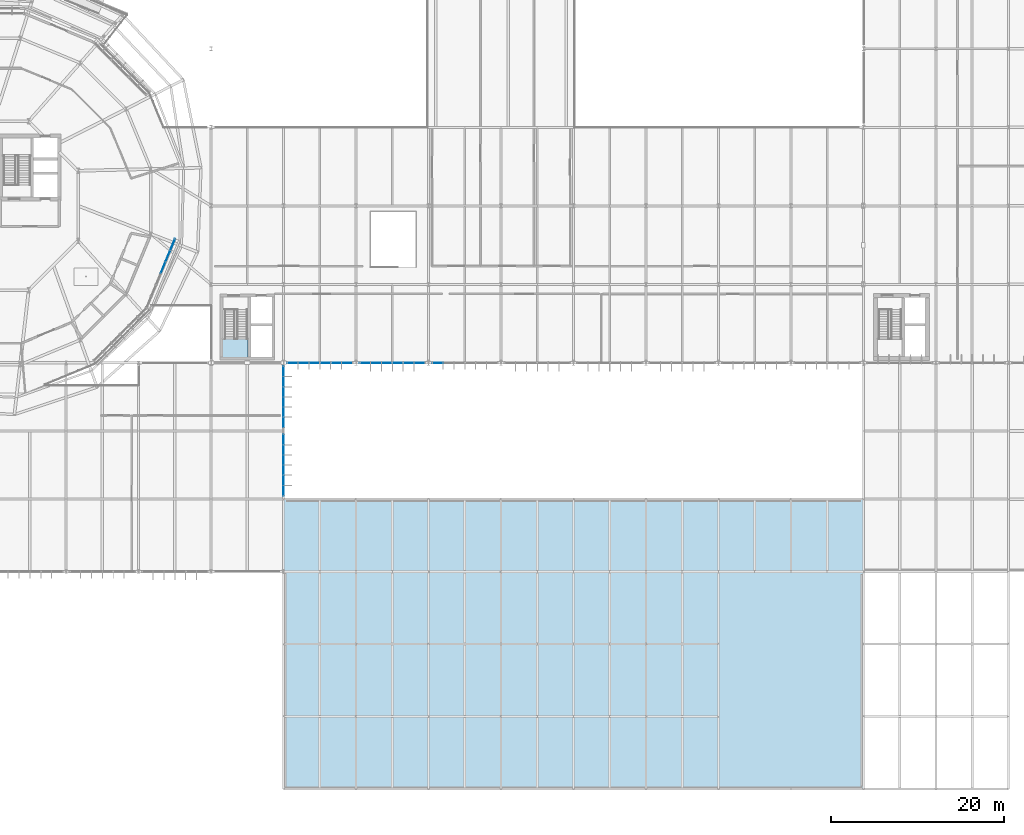
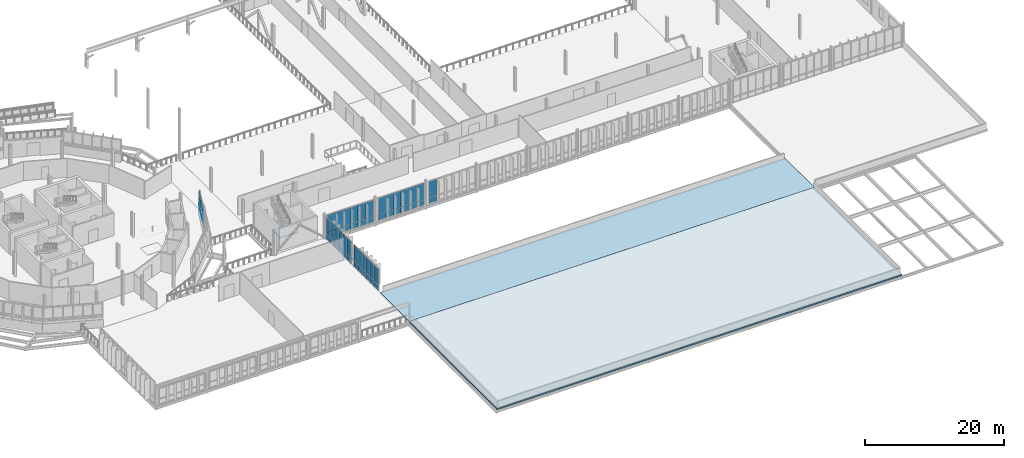
# One storey, part 75 of 107: 56 plates, 3 slabs, 9 elements without a shape of their own.
"""IFC4 building model written with IfcOpenShell, lengths in metres."""

from ifc_helpers import new_model, si_unit, derived_unit, direction, frame, origin, origin_2d, place, context, subcontext, project, spatial, polyline, rectangle, outline, extrude, material, layer, layer_set, type_object, element, aggregate, save


model = new_model("IFC4")

# Units and contexts
model_context = context("Model", 3, precision=1e-05, world=origin(), true_north=direction((0.0, 1.0)))
body_context = subcontext(model_context, "Body", "Model", "MODEL_VIEW")
ifc_project = project(units=[si_unit("LENGTHUNIT", "METRE"), si_unit("AREAUNIT", "SQUARE_METRE"), si_unit("VOLUMEUNIT", "CUBIC_METRE"), si_unit("PLANEANGLEUNIT", "RADIAN"), si_unit("MASSUNIT", "GRAM", prefix="KILO"), derived_unit("THERMALTRANSMITTANCEUNIT", [(si_unit("MASSUNIT", "GRAM", prefix="KILO"), 1), (si_unit("TIMEUNIT", "SECOND"), -3), (si_unit("THERMODYNAMICTEMPERATUREUNIT", "KELVIN"), -1)])], contexts=[model_context])

# Site, building, storey
site_placement = place(None, origin())
site = spatial("IfcSite", under=ifc_project, at=site_placement, CompositionType="ELEMENT")
building_placement = place(site_placement, origin())
building = spatial("IfcBuilding", under=site, at=building_placement, Name="Makaiwela Harbour Ferry Terminal", CompositionType="ELEMENT")
storey_placement = place(building_placement, frame((0.0, 0.0, 9.60009765625)))
storey = spatial("IfcBuildingStorey", under=building, at=storey_placement, Name="L02", CompositionType="ELEMENT", Elevation=9.60009765625)

# Curtain wall, plates
ifc_material_1 = material(Name="Marine anodised aluminium 6063-T6", Category="aluminium")
ifc_layer_1 = layer(ifc_material_1, 0.199951171875)
ifc_layer_set_1 = layer_set([ifc_layer_1], Name="Marine anodised aluminium 6063-T6")
curtain_wall_type_1 = type_object("IfcCurtainWallType", Name="ENV-CW-04", PredefinedType="USERDEFINED", material=ifc_layer_set_1)
curtain_wall_1_placement = place(storey_placement, origin())
curtain_wall_1 = element("IfcCurtainWall", 1, at=curtain_wall_1_placement, inside=storey, type_object=curtain_wall_type_1, Name="Unitised Curtain Wall CWA-028", ObjectType="UNITIZED CURTAIN WALL", PredefinedType="USERDEFINED")
ifc_material_2 = material(Name="Laminated hurricane-impact low-E insulated glazing", Category="glass")
ifc_layer_2 = layer(ifc_material_2, 0.031982421875)
ifc_layer_set_2 = layer_set([ifc_layer_2], Name="Laminated hurricane-impact low-E insulated glazing")
plate_type_1 = type_object("IfcPlateType", Name="CW-PNL-G06", PredefinedType="CURTAIN_PANEL", material=ifc_layer_set_2)
plate_1_placement = place(storey_placement, frame((57.440185546875, 60.43994140625, 1.89990234375), z_axis=(0.0, 0.0, 1.0), x_axis=(0.382683432365, 0.923879532511, 0.0)))
plate_1 = element("IfcPlate", 2, at=plate_1_placement, type_object=plate_type_1, Name="Glazed Vision Panel CWA-028-4G", PredefinedType="CURTAIN_PANEL", context=body_context, shape_type="SweptSolid", body=[
    extrude(rectangle(XDim=1.43359375, YDim=0.031982421875, at=origin_2d()), origin(), (0.0, 0.0, 1.0), 2.06005859375),
])
plate_2_placement = place(storey_placement, frame((57.989013671875, 61.764404296875, 1.89990234375), z_axis=(0.0, 0.0, 1.0), x_axis=(0.382683432365, 0.923879532511, 0.0)))
plate_2 = element("IfcPlate", 3, at=plate_2_placement, type_object=plate_type_1, Name="Glazed Vision Panel CWA-028-5G", PredefinedType="CURTAIN_PANEL", context=body_context, shape_type="SweptSolid", body=[
    extrude(rectangle(XDim=1.43359375, YDim=0.031982421875, at=origin_2d()), origin(), (0.0, 0.0, 1.0), 2.06005859375),
])
plate_3_placement = place(storey_placement, frame((58.53759765625, 63.089111328125, 1.89990234375), z_axis=(0.0, 0.0, 1.0), x_axis=(0.382683432365, 0.923879532511, 0.0)))
plate_3 = element("IfcPlate", 4, at=plate_3_placement, type_object=plate_type_1, Name="Glazed Vision Panel CWA-028-6G", PredefinedType="CURTAIN_PANEL", context=body_context, shape_type="SweptSolid", body=[
    extrude(rectangle(XDim=1.43359375, YDim=0.031982421875, at=origin_2d()), origin(), (0.0, 0.0, 1.0), 2.06005859375),
])

ifc_layer_3 = layer(ifc_material_1, 0.199951171875)
ifc_layer_set_3 = layer_set([ifc_layer_3], Name="Marine anodised aluminium 6063-T6")
curtain_wall_type_2 = type_object("IfcCurtainWallType", Name="ENV-CW-09", PredefinedType="USERDEFINED", material=ifc_layer_set_3)
curtain_wall_2_placement = place(storey_placement, origin())
curtain_wall_2 = element("IfcCurtainWall", 5, at=curtain_wall_2_placement, inside=storey, type_object=curtain_wall_type_2, Name="Unitised Curtain Wall CWA-075", ObjectType="UNITIZED CURTAIN WALL", PredefinedType="USERDEFINED")
ifc_layer_4 = layer(ifc_material_2, 0.031982421875)
ifc_layer_set_4 = layer_set([ifc_layer_4], Name="Laminated hurricane-impact low-E insulated glazing")
plate_type_2 = type_object("IfcPlateType", Name="CW-PNL-G13", PredefinedType="CURTAIN_PANEL", material=ifc_layer_set_4)
plate_4_placement = place(storey_placement, frame((78.75, 49.39990234375, 0.949951171875), z_axis=(0.0, 0.0, 1.0), x_axis=(-1.0, 0.0, 0.0)))
plate_4 = element("IfcPlate", 6, at=plate_4_placement, type_object=plate_type_2, Name="Glazed Vision Panel CWA-075-1G", PredefinedType="CURTAIN_PANEL", context=body_context, shape_type="SweptSolid", body=[
    extrude(rectangle(XDim=1.260009765625, YDim=0.031982421875, at=origin_2d()), origin(), (0.0, 0.0, 1.0), 2.89990234375),
])
plate_5_placement = place(storey_placement, frame((77.489990234375, 49.39990234375, 0.949951171875), z_axis=(0.0, 0.0, 1.0), x_axis=(-1.0, 0.0, 0.0)))
plate_5 = element("IfcPlate", 7, at=plate_5_placement, type_object=plate_type_2, Name="Glazed Vision Panel CWA-075-2G", PredefinedType="CURTAIN_PANEL", context=body_context, shape_type="SweptSolid", body=[
    extrude(rectangle(XDim=1.260009765625, YDim=0.031982421875, at=origin_2d()), origin(), (0.0, 0.0, 1.0), 2.89990234375),
])
plate_6_placement = place(storey_placement, frame((76.22998046875, 49.39990234375, 0.949951171875), z_axis=(0.0, 0.0, 1.0), x_axis=(-1.0, 0.0, 0.0)))
plate_6 = element("IfcPlate", 8, at=plate_6_placement, type_object=plate_type_2, Name="Glazed Vision Panel CWA-075-3G", PredefinedType="CURTAIN_PANEL", context=body_context, shape_type="SweptSolid", body=[
    extrude(rectangle(XDim=1.260009765625, YDim=0.031982421875, at=origin_2d()), origin(), (0.0, 0.0, 1.0), 2.89990234375),
])
plate_7_placement = place(storey_placement, frame((74.969970703125, 49.39990234375, 0.949951171875), z_axis=(0.0, 0.0, 1.0), x_axis=(-1.0, 0.0, 0.0)))
plate_7 = element("IfcPlate", 9, at=plate_7_placement, type_object=plate_type_2, Name="Glazed Vision Panel CWA-075-4G", PredefinedType="CURTAIN_PANEL", context=body_context, shape_type="SweptSolid", body=[
    extrude(rectangle(XDim=1.260009765625, YDim=0.031982421875, at=origin_2d()), origin(), (0.0, 0.0, 1.0), 2.89990234375),
])
plate_8_placement = place(storey_placement, frame((73.7099609375, 49.39990234375, 0.949951171875), z_axis=(0.0, 0.0, 1.0), x_axis=(-1.0, 0.0, 0.0)))
plate_8 = element("IfcPlate", 10, at=plate_8_placement, type_object=plate_type_2, Name="Glazed Vision Panel CWA-075-5G", PredefinedType="CURTAIN_PANEL", context=body_context, shape_type="SweptSolid", body=[
    extrude(rectangle(XDim=1.260009765625, YDim=0.031982421875, at=origin_2d()), origin(), (0.0, 0.0, 1.0), 2.89990234375),
])
plate_9_placement = place(storey_placement, frame((72.449951171875, 49.39990234375, 0.949951171875), z_axis=(0.0, 0.0, 1.0), x_axis=(-1.0, 0.0, 0.0)))
plate_9 = element("IfcPlate", 11, at=plate_9_placement, type_object=plate_type_2, Name="Glazed Vision Panel CWA-075-6G", PredefinedType="CURTAIN_PANEL", context=body_context, shape_type="SweptSolid", body=[
    extrude(rectangle(XDim=1.260009765625, YDim=0.031982421875, at=origin_2d()), origin(), (0.0, 0.0, 1.0), 2.89990234375),
])

curtain_wall_3_placement = place(storey_placement, origin())
curtain_wall_3 = element("IfcCurtainWall", 12, at=curtain_wall_3_placement, inside=storey, type_object=curtain_wall_type_2, Name="Unitised Curtain Wall CWA-079", ObjectType="UNITIZED CURTAIN WALL", PredefinedType="USERDEFINED")
plate_10_placement = place(storey_placement, frame((87.14990234375, 49.39990234375, 0.949951171875), z_axis=(0.0, 0.0, 1.0), x_axis=(-1.0, 0.0, 0.0)))
plate_10 = element("IfcPlate", 13, at=plate_10_placement, type_object=plate_type_2, Name="Glazed Vision Panel CWA-079-1G", PredefinedType="CURTAIN_PANEL", context=body_context, shape_type="SweptSolid", body=[
    extrude(rectangle(XDim=1.260009765625, YDim=0.031982421875, at=origin_2d()), origin(), (0.0, 0.0, 1.0), 2.89990234375),
])
plate_11_placement = place(storey_placement, frame((85.889892578125, 49.39990234375, 0.949951171875), z_axis=(0.0, 0.0, 1.0), x_axis=(-1.0, 0.0, 0.0)))
plate_11 = element("IfcPlate", 14, at=plate_11_placement, type_object=plate_type_2, Name="Glazed Vision Panel CWA-079-2G", PredefinedType="CURTAIN_PANEL", context=body_context, shape_type="SweptSolid", body=[
    extrude(rectangle(XDim=1.260009765625, YDim=0.031982421875, at=origin_2d()), origin(), (0.0, 0.0, 1.0), 2.89990234375),
])
plate_12_placement = place(storey_placement, frame((84.6298828125, 49.39990234375, 0.949951171875), z_axis=(0.0, 0.0, 1.0), x_axis=(-1.0, 0.0, 0.0)))
plate_12 = element("IfcPlate", 15, at=plate_12_placement, type_object=plate_type_2, Name="Glazed Vision Panel CWA-079-3G", PredefinedType="CURTAIN_PANEL", context=body_context, shape_type="SweptSolid", body=[
    extrude(rectangle(XDim=1.260009765625, YDim=0.031982421875, at=origin_2d()), origin(), (0.0, 0.0, 1.0), 2.89990234375),
])
plate_13_placement = place(storey_placement, frame((83.3701171875, 49.39990234375, 0.949951171875), z_axis=(0.0, 0.0, 1.0), x_axis=(-1.0, 0.0, 0.0)))
plate_13 = element("IfcPlate", 16, at=plate_13_placement, type_object=plate_type_2, Name="Glazed Vision Panel CWA-079-4G", PredefinedType="CURTAIN_PANEL", context=body_context, shape_type="SweptSolid", body=[
    extrude(rectangle(XDim=1.260009765625, YDim=0.031982421875, at=origin_2d()), origin(), (0.0, 0.0, 1.0), 2.89990234375),
])
plate_14_placement = place(storey_placement, frame((82.110107421875, 49.39990234375, 0.949951171875), z_axis=(0.0, 0.0, 1.0), x_axis=(-1.0, 0.0, 0.0)))
plate_14 = element("IfcPlate", 17, at=plate_14_placement, type_object=plate_type_2, Name="Glazed Vision Panel CWA-079-5G", PredefinedType="CURTAIN_PANEL", context=body_context, shape_type="SweptSolid", body=[
    extrude(rectangle(XDim=1.260009765625, YDim=0.031982421875, at=origin_2d()), origin(), (0.0, 0.0, 1.0), 2.89990234375),
])
plate_15_placement = place(storey_placement, frame((80.85009765625, 49.39990234375, 0.949951171875), z_axis=(0.0, 0.0, 1.0), x_axis=(-1.0, 0.0, 0.0)))
plate_15 = element("IfcPlate", 18, at=plate_15_placement, type_object=plate_type_2, Name="Glazed Vision Panel CWA-079-6G", PredefinedType="CURTAIN_PANEL", context=body_context, shape_type="SweptSolid", body=[
    extrude(rectangle(XDim=1.260009765625, YDim=0.031982421875, at=origin_2d()), origin(), (0.0, 0.0, 1.0), 2.89990234375),
])

# Curtain wall, plate
curtain_wall_4_placement = place(storey_placement, origin())
curtain_wall_4 = element("IfcCurtainWall", 19, at=curtain_wall_4_placement, inside=storey, type_object=curtain_wall_type_2, Name="Unitised Curtain Wall CWA-081", ObjectType="UNITIZED CURTAIN WALL", PredefinedType="USERDEFINED")
plate_16_placement = place(storey_placement, frame((89.25, 49.39990234375, 0.949951171875), z_axis=(0.0, 0.0, 1.0), x_axis=(-1.0, 0.0, 0.0)))
plate_16 = element("IfcPlate", 20, at=plate_16_placement, type_object=plate_type_2, Name="Glazed Vision Panel CWA-081-6G", PredefinedType="CURTAIN_PANEL", context=body_context, shape_type="SweptSolid", body=[
    extrude(rectangle(XDim=1.260009765625, YDim=0.031982421875, at=origin_2d()), origin(), (0.0, 0.0, 1.0), 2.89990234375),
])

# Curtain wall, plates
ifc_layer_5 = layer(ifc_material_1, 0.199951171875)
ifc_layer_set_5 = layer_set([ifc_layer_5], Name="Marine anodised aluminium 6063-T6")
curtain_wall_type_3 = type_object("IfcCurtainWallType", Name="ENV-CW-14", PredefinedType="USERDEFINED", material=ifc_layer_set_5)
curtain_wall_5_placement = place(storey_placement, origin())
curtain_wall_5 = element("IfcCurtainWall", 21, at=curtain_wall_5_placement, inside=storey, type_object=curtain_wall_type_3, Name="Unitised Curtain Wall CWA-110", ObjectType="UNITIZED CURTAIN WALL", PredefinedType="USERDEFINED")
ifc_layer_6 = layer(ifc_material_2, 0.031982421875)
ifc_layer_set_6 = layer_set([ifc_layer_6], Name="Laminated hurricane-impact low-E insulated glazing")
plate_type_3 = type_object("IfcPlateType", Name="CW-PNL-G19", PredefinedType="CURTAIN_PANEL", material=ifc_layer_set_6)
plate_17_placement = place(storey_placement, frame((71.39990234375, 40.49169921875, 0.949951171875), z_axis=(0.0, 0.0, 1.0), x_axis=(0.0, -1.0, 0.0)))
plate_17 = element("IfcPlate", 22, at=plate_17_placement, type_object=plate_type_3, Name="Glazed Vision Panel CWA-110-1G", PredefinedType="CURTAIN_PANEL", context=body_context, shape_type="SweptSolid", body=[
    extrude(rectangle(XDim=1.1767578125, YDim=0.031982421875, at=origin_2d()), origin(), (0.0, 0.0, 1.0), 2.89990234375),
])
plate_18_placement = place(storey_placement, frame((71.39990234375, 39.31494140625, 0.949951171875), z_axis=(0.0, 0.0, 1.0), x_axis=(0.0, -1.0, 0.0)))
plate_18 = element("IfcPlate", 23, at=plate_18_placement, type_object=plate_type_3, Name="Glazed Vision Panel CWA-110-2G", PredefinedType="CURTAIN_PANEL", context=body_context, shape_type="SweptSolid", body=[
    extrude(rectangle(XDim=1.1767578125, YDim=0.031982421875, at=origin_2d()), origin(), (0.0, 0.0, 1.0), 2.89990234375),
])
plate_19_placement = place(storey_placement, frame((71.39990234375, 38.13818359375, 0.949951171875), z_axis=(0.0, 0.0, 1.0), x_axis=(0.0, -1.0, 0.0)))
plate_19 = element("IfcPlate", 24, at=plate_19_placement, type_object=plate_type_3, Name="Glazed Vision Panel CWA-110-3G", PredefinedType="CURTAIN_PANEL", context=body_context, shape_type="SweptSolid", body=[
    extrude(rectangle(XDim=1.1767578125, YDim=0.031982421875, at=origin_2d()), origin(), (0.0, 0.0, 1.0), 2.89990234375),
])
plate_20_placement = place(storey_placement, frame((71.39990234375, 36.961669921875, 0.949951171875), z_axis=(0.0, 0.0, 1.0), x_axis=(0.0, -1.0, 0.0)))
plate_20 = element("IfcPlate", 25, at=plate_20_placement, type_object=plate_type_3, Name="Glazed Vision Panel CWA-110-4G", PredefinedType="CURTAIN_PANEL", context=body_context, shape_type="SweptSolid", body=[
    extrude(rectangle(XDim=1.1767578125, YDim=0.031982421875, at=origin_2d()), origin(), (0.0, 0.0, 1.0), 2.89990234375),
])
plate_21_placement = place(storey_placement, frame((71.39990234375, 35.784912109375, 0.949951171875), z_axis=(0.0, 0.0, 1.0), x_axis=(0.0, -1.0, 0.0)))
plate_21 = element("IfcPlate", 26, at=plate_21_placement, type_object=plate_type_3, Name="Glazed Vision Panel CWA-110-5G", PredefinedType="CURTAIN_PANEL", context=body_context, shape_type="SweptSolid", body=[
    extrude(rectangle(XDim=1.1767578125, YDim=0.031982421875, at=origin_2d()), origin(), (0.0, 0.0, 1.0), 2.89990234375),
])
plate_22_placement = place(storey_placement, frame((71.39990234375, 34.6083984375, 0.949951171875), z_axis=(0.0, 0.0, 1.0), x_axis=(0.0, -1.0, 0.0)))
plate_22 = element("IfcPlate", 27, at=plate_22_placement, type_object=plate_type_3, Name="Glazed Vision Panel CWA-110-6G", PredefinedType="CURTAIN_PANEL", context=body_context, shape_type="SweptSolid", body=[
    extrude(rectangle(XDim=1.1767578125, YDim=0.031982421875, at=origin_2d()), origin(), (0.0, 0.0, 1.0), 2.89990234375),
])

curtain_wall_6_placement = place(storey_placement, origin())
curtain_wall_6 = element("IfcCurtainWall", 28, at=curtain_wall_6_placement, inside=storey, type_object=curtain_wall_type_3, Name="Unitised Curtain Wall CWA-113", ObjectType="UNITIZED CURTAIN WALL", PredefinedType="USERDEFINED")
plate_23_placement = place(storey_placement, frame((71.39990234375, 48.3916015625, 0.949951171875), z_axis=(0.0, 0.0, 1.0), x_axis=(0.0, -1.0, 0.0)))
plate_23 = element("IfcPlate", 29, at=plate_23_placement, type_object=plate_type_3, Name="Glazed Vision Panel CWA-113-1G", PredefinedType="CURTAIN_PANEL", context=body_context, shape_type="SweptSolid", body=[
    extrude(rectangle(XDim=1.1767578125, YDim=0.031982421875, at=origin_2d()), origin(), (0.0, 0.0, 1.0), 2.89990234375),
])
plate_24_placement = place(storey_placement, frame((71.39990234375, 47.215087890625, 0.949951171875), z_axis=(0.0, 0.0, 1.0), x_axis=(0.0, -1.0, 0.0)))
plate_24 = element("IfcPlate", 30, at=plate_24_placement, type_object=plate_type_3, Name="Glazed Vision Panel CWA-113-2G", PredefinedType="CURTAIN_PANEL", context=body_context, shape_type="SweptSolid", body=[
    extrude(rectangle(XDim=1.1767578125, YDim=0.031982421875, at=origin_2d()), origin(), (0.0, 0.0, 1.0), 2.89990234375),
])
plate_25_placement = place(storey_placement, frame((71.39990234375, 46.038330078125, 0.949951171875), z_axis=(0.0, 0.0, 1.0), x_axis=(0.0, -1.0, 0.0)))
plate_25 = element("IfcPlate", 31, at=plate_25_placement, type_object=plate_type_3, Name="Glazed Vision Panel CWA-113-3G", PredefinedType="CURTAIN_PANEL", context=body_context, shape_type="SweptSolid", body=[
    extrude(rectangle(XDim=1.1767578125, YDim=0.031982421875, at=origin_2d()), origin(), (0.0, 0.0, 1.0), 2.89990234375),
])
plate_26_placement = place(storey_placement, frame((71.39990234375, 44.86181640625, 0.949951171875), z_axis=(0.0, 0.0, 1.0), x_axis=(0.0, -1.0, 0.0)))
plate_26 = element("IfcPlate", 32, at=plate_26_placement, type_object=plate_type_3, Name="Glazed Vision Panel CWA-113-4G", PredefinedType="CURTAIN_PANEL", context=body_context, shape_type="SweptSolid", body=[
    extrude(rectangle(XDim=1.1767578125, YDim=0.031982421875, at=origin_2d()), origin(), (0.0, 0.0, 1.0), 2.89990234375),
])
plate_27_placement = place(storey_placement, frame((71.39990234375, 43.68505859375, 0.949951171875), z_axis=(0.0, 0.0, 1.0), x_axis=(0.0, -1.0, 0.0)))
plate_27 = element("IfcPlate", 33, at=plate_27_placement, type_object=plate_type_3, Name="Glazed Vision Panel CWA-113-5G", PredefinedType="CURTAIN_PANEL", context=body_context, shape_type="SweptSolid", body=[
    extrude(rectangle(XDim=1.1767578125, YDim=0.031982421875, at=origin_2d()), origin(), (0.0, 0.0, 1.0), 2.89990234375),
])
plate_28_placement = place(storey_placement, frame((71.39990234375, 42.50830078125, 0.949951171875), z_axis=(0.0, 0.0, 1.0), x_axis=(0.0, -1.0, 0.0)))
plate_28 = element("IfcPlate", 34, at=plate_28_placement, type_object=plate_type_3, Name="Glazed Vision Panel CWA-113-6G", PredefinedType="CURTAIN_PANEL", context=body_context, shape_type="SweptSolid", body=[
    extrude(rectangle(XDim=1.1767578125, YDim=0.031982421875, at=origin_2d()), origin(), (0.0, 0.0, 1.0), 2.89990234375),
])

# Plate
ifc_material_3 = material(Name="Insulated marine aluminium spandrel panel", Category="aluminium")
ifc_layer_7 = layer(ifc_material_3, 0.048095703125)
ifc_layer_set_7 = layer_set([ifc_layer_7], Name="Insulated marine aluminium spandrel panel")
plate_type_4 = type_object("IfcPlateType", Name="CW-PNL-S04", PredefinedType="CURTAIN_PANEL", material=ifc_layer_set_7)
plate_29_placement = place(storey_placement, frame((57.440185546875, 60.43994140625, 1.47998046875), z_axis=(0.0, 0.0, 1.0), x_axis=(0.382683432365, 0.923879532511, 0.0)))
plate_29 = element("IfcPlate", 35, at=plate_29_placement, type_object=plate_type_4, Name="Spandrel Panel CWA-028-4S", PredefinedType="CURTAIN_PANEL", context=body_context, shape_type="SweptSolid", body=[
    extrude(rectangle(XDim=1.43359375, YDim=0.048095703125, at=origin_2d()), origin(), (0.0, 0.0, 1.0), 0.419921875),
])

plate_30_placement = place(storey_placement, frame((57.989013671875, 61.764404296875, 1.47998046875), z_axis=(0.0, 0.0, 1.0), x_axis=(0.382683432365, 0.923879532511, 0.0)))
plate_30 = element("IfcPlate", 36, at=plate_30_placement, type_object=plate_type_4, Name="Spandrel Panel CWA-028-5S", PredefinedType="CURTAIN_PANEL", context=body_context, shape_type="SweptSolid", body=[
    extrude(rectangle(XDim=1.43359375, YDim=0.048095703125, at=origin_2d()), origin(), (0.0, 0.0, 1.0), 0.419921875),
])

plate_31_placement = place(storey_placement, frame((58.53759765625, 63.089111328125, 1.47998046875), z_axis=(0.0, 0.0, 1.0), x_axis=(0.382683432365, 0.923879532511, 0.0)))
plate_31 = element("IfcPlate", 37, at=plate_31_placement, type_object=plate_type_4, Name="Spandrel Panel CWA-028-6S", PredefinedType="CURTAIN_PANEL", context=body_context, shape_type="SweptSolid", body=[
    extrude(rectangle(XDim=1.43359375, YDim=0.048095703125, at=origin_2d()), origin(), (0.0, 0.0, 1.0), 0.419921875),
])

aggregate(curtain_wall_1, [plate_29, plate_1, plate_30, plate_2, plate_31, plate_3])

ifc_layer_8 = layer(ifc_material_3, 0.048095703125)
ifc_layer_set_8 = layer_set([ifc_layer_8], Name="Insulated marine aluminium spandrel panel")
plate_type_5 = type_object("IfcPlateType", Name="CW-PNL-S11", PredefinedType="CURTAIN_PANEL", material=ifc_layer_set_8)
plate_32_placement = place(storey_placement, frame((78.75, 49.39990234375, 0.0), z_axis=(0.0, 0.0, 1.0), x_axis=(-1.0, 0.0, 0.0)))
plate_32 = element("IfcPlate", 38, at=plate_32_placement, type_object=plate_type_5, Name="Spandrel Panel CWA-075-1S", PredefinedType="CURTAIN_PANEL", context=body_context, shape_type="SweptSolid", body=[
    extrude(rectangle(XDim=1.260009765625, YDim=0.048095703125, at=origin_2d()), origin(), (0.0, 0.0, 1.0), 0.949951171875),
])

plate_33_placement = place(storey_placement, frame((77.489990234375, 49.39990234375, 0.0), z_axis=(0.0, 0.0, 1.0), x_axis=(-1.0, 0.0, 0.0)))
plate_33 = element("IfcPlate", 39, at=plate_33_placement, type_object=plate_type_5, Name="Spandrel Panel CWA-075-2S", PredefinedType="CURTAIN_PANEL", context=body_context, shape_type="SweptSolid", body=[
    extrude(rectangle(XDim=1.260009765625, YDim=0.048095703125, at=origin_2d()), origin(), (0.0, 0.0, 1.0), 0.949951171875),
])

plate_34_placement = place(storey_placement, frame((76.22998046875, 49.39990234375, 0.0), z_axis=(0.0, 0.0, 1.0), x_axis=(-1.0, 0.0, 0.0)))
plate_34 = element("IfcPlate", 40, at=plate_34_placement, type_object=plate_type_5, Name="Spandrel Panel CWA-075-3S", PredefinedType="CURTAIN_PANEL", context=body_context, shape_type="SweptSolid", body=[
    extrude(rectangle(XDim=1.260009765625, YDim=0.048095703125, at=origin_2d()), origin(), (0.0, 0.0, 1.0), 0.949951171875),
])

plate_35_placement = place(storey_placement, frame((74.969970703125, 49.39990234375, 0.0), z_axis=(0.0, 0.0, 1.0), x_axis=(-1.0, 0.0, 0.0)))
plate_35 = element("IfcPlate", 41, at=plate_35_placement, type_object=plate_type_5, Name="Spandrel Panel CWA-075-4S", PredefinedType="CURTAIN_PANEL", context=body_context, shape_type="SweptSolid", body=[
    extrude(rectangle(XDim=1.260009765625, YDim=0.048095703125, at=origin_2d()), origin(), (0.0, 0.0, 1.0), 0.949951171875),
])

plate_36_placement = place(storey_placement, frame((73.7099609375, 49.39990234375, 0.0), z_axis=(0.0, 0.0, 1.0), x_axis=(-1.0, 0.0, 0.0)))
plate_36 = element("IfcPlate", 42, at=plate_36_placement, type_object=plate_type_5, Name="Spandrel Panel CWA-075-5S", PredefinedType="CURTAIN_PANEL", context=body_context, shape_type="SweptSolid", body=[
    extrude(rectangle(XDim=1.260009765625, YDim=0.048095703125, at=origin_2d()), origin(), (0.0, 0.0, 1.0), 0.949951171875),
])

plate_37_placement = place(storey_placement, frame((72.449951171875, 49.39990234375, 0.0), z_axis=(0.0, 0.0, 1.0), x_axis=(-1.0, 0.0, 0.0)))
plate_37 = element("IfcPlate", 43, at=plate_37_placement, type_object=plate_type_5, Name="Spandrel Panel CWA-075-6S", PredefinedType="CURTAIN_PANEL", context=body_context, shape_type="SweptSolid", body=[
    extrude(rectangle(XDim=1.260009765625, YDim=0.048095703125, at=origin_2d()), origin(), (0.0, 0.0, 1.0), 0.949951171875),
])

aggregate(curtain_wall_2, [plate_32, plate_4, plate_33, plate_5, plate_34, plate_6, plate_35, plate_7, plate_36, plate_8, plate_37, plate_9])

plate_38_placement = place(storey_placement, frame((87.14990234375, 49.39990234375, 0.0), z_axis=(0.0, 0.0, 1.0), x_axis=(-1.0, 0.0, 0.0)))
plate_38 = element("IfcPlate", 44, at=plate_38_placement, type_object=plate_type_5, Name="Spandrel Panel CWA-079-1S", PredefinedType="CURTAIN_PANEL", context=body_context, shape_type="SweptSolid", body=[
    extrude(rectangle(XDim=1.260009765625, YDim=0.048095703125, at=origin_2d()), origin(), (0.0, 0.0, 1.0), 0.949951171875),
])

plate_39_placement = place(storey_placement, frame((85.889892578125, 49.39990234375, 0.0), z_axis=(0.0, 0.0, 1.0), x_axis=(-1.0, 0.0, 0.0)))
plate_39 = element("IfcPlate", 45, at=plate_39_placement, type_object=plate_type_5, Name="Spandrel Panel CWA-079-2S", PredefinedType="CURTAIN_PANEL", context=body_context, shape_type="SweptSolid", body=[
    extrude(rectangle(XDim=1.260009765625, YDim=0.048095703125, at=origin_2d()), origin(), (0.0, 0.0, 1.0), 0.949951171875),
])

plate_40_placement = place(storey_placement, frame((84.6298828125, 49.39990234375, 0.0), z_axis=(0.0, 0.0, 1.0), x_axis=(-1.0, 0.0, 0.0)))
plate_40 = element("IfcPlate", 46, at=plate_40_placement, type_object=plate_type_5, Name="Spandrel Panel CWA-079-3S", PredefinedType="CURTAIN_PANEL", context=body_context, shape_type="SweptSolid", body=[
    extrude(rectangle(XDim=1.260009765625, YDim=0.048095703125, at=origin_2d()), origin(), (0.0, 0.0, 1.0), 0.949951171875),
])

plate_41_placement = place(storey_placement, frame((83.3701171875, 49.39990234375, 0.0), z_axis=(0.0, 0.0, 1.0), x_axis=(-1.0, 0.0, 0.0)))
plate_41 = element("IfcPlate", 47, at=plate_41_placement, type_object=plate_type_5, Name="Spandrel Panel CWA-079-4S", PredefinedType="CURTAIN_PANEL", context=body_context, shape_type="SweptSolid", body=[
    extrude(rectangle(XDim=1.260009765625, YDim=0.048095703125, at=origin_2d()), origin(), (0.0, 0.0, 1.0), 0.949951171875),
])

plate_42_placement = place(storey_placement, frame((82.110107421875, 49.39990234375, 0.0), z_axis=(0.0, 0.0, 1.0), x_axis=(-1.0, 0.0, 0.0)))
plate_42 = element("IfcPlate", 48, at=plate_42_placement, type_object=plate_type_5, Name="Spandrel Panel CWA-079-5S", PredefinedType="CURTAIN_PANEL", context=body_context, shape_type="SweptSolid", body=[
    extrude(rectangle(XDim=1.260009765625, YDim=0.048095703125, at=origin_2d()), origin(), (0.0, 0.0, 1.0), 0.949951171875),
])

plate_43_placement = place(storey_placement, frame((80.85009765625, 49.39990234375, 0.0), z_axis=(0.0, 0.0, 1.0), x_axis=(-1.0, 0.0, 0.0)))
plate_43 = element("IfcPlate", 49, at=plate_43_placement, type_object=plate_type_5, Name="Spandrel Panel CWA-079-6S", PredefinedType="CURTAIN_PANEL", context=body_context, shape_type="SweptSolid", body=[
    extrude(rectangle(XDim=1.260009765625, YDim=0.048095703125, at=origin_2d()), origin(), (0.0, 0.0, 1.0), 0.949951171875),
])

aggregate(curtain_wall_3, [plate_38, plate_10, plate_39, plate_11, plate_40, plate_12, plate_41, plate_13, plate_42, plate_14, plate_43, plate_15])

plate_44_placement = place(storey_placement, frame((89.25, 49.39990234375, 0.0), z_axis=(0.0, 0.0, 1.0), x_axis=(-1.0, 0.0, 0.0)))
plate_44 = element("IfcPlate", 50, at=plate_44_placement, type_object=plate_type_5, Name="Spandrel Panel CWA-081-6S", PredefinedType="CURTAIN_PANEL", context=body_context, shape_type="SweptSolid", body=[
    extrude(rectangle(XDim=1.260009765625, YDim=0.048095703125, at=origin_2d()), origin(), (0.0, 0.0, 1.0), 0.949951171875),
])

aggregate(curtain_wall_4, [plate_44, plate_16])

ifc_layer_9 = layer(ifc_material_3, 0.048095703125)
ifc_layer_set_9 = layer_set([ifc_layer_9], Name="Insulated marine aluminium spandrel panel")
plate_type_6 = type_object("IfcPlateType", Name="CW-PNL-S16", PredefinedType="CURTAIN_PANEL", material=ifc_layer_set_9)
plate_45_placement = place(storey_placement, frame((71.39990234375, 40.49169921875, 0.0), z_axis=(0.0, 0.0, 1.0), x_axis=(0.0, -1.0, 0.0)))
plate_45 = element("IfcPlate", 51, at=plate_45_placement, type_object=plate_type_6, Name="Spandrel Panel CWA-110-1S", PredefinedType="CURTAIN_PANEL", context=body_context, shape_type="SweptSolid", body=[
    extrude(rectangle(XDim=1.1767578125, YDim=0.048095703125, at=origin_2d()), origin(), (0.0, 0.0, 1.0), 0.949951171875),
])

plate_46_placement = place(storey_placement, frame((71.39990234375, 39.31494140625, 0.0), z_axis=(0.0, 0.0, 1.0), x_axis=(0.0, -1.0, 0.0)))
plate_46 = element("IfcPlate", 52, at=plate_46_placement, type_object=plate_type_6, Name="Spandrel Panel CWA-110-2S", PredefinedType="CURTAIN_PANEL", context=body_context, shape_type="SweptSolid", body=[
    extrude(rectangle(XDim=1.1767578125, YDim=0.048095703125, at=origin_2d()), origin(), (0.0, 0.0, 1.0), 0.949951171875),
])

plate_47_placement = place(storey_placement, frame((71.39990234375, 38.13818359375, 0.0), z_axis=(0.0, 0.0, 1.0), x_axis=(0.0, -1.0, 0.0)))
plate_47 = element("IfcPlate", 53, at=plate_47_placement, type_object=plate_type_6, Name="Spandrel Panel CWA-110-3S", PredefinedType="CURTAIN_PANEL", context=body_context, shape_type="SweptSolid", body=[
    extrude(rectangle(XDim=1.1767578125, YDim=0.048095703125, at=origin_2d()), origin(), (0.0, 0.0, 1.0), 0.949951171875),
])

plate_48_placement = place(storey_placement, frame((71.39990234375, 36.961669921875, 0.0), z_axis=(0.0, 0.0, 1.0), x_axis=(0.0, -1.0, 0.0)))
plate_48 = element("IfcPlate", 54, at=plate_48_placement, type_object=plate_type_6, Name="Spandrel Panel CWA-110-4S", PredefinedType="CURTAIN_PANEL", context=body_context, shape_type="SweptSolid", body=[
    extrude(rectangle(XDim=1.1767578125, YDim=0.048095703125, at=origin_2d()), origin(), (0.0, 0.0, 1.0), 0.949951171875),
])

plate_49_placement = place(storey_placement, frame((71.39990234375, 35.784912109375, 0.0), z_axis=(0.0, 0.0, 1.0), x_axis=(0.0, -1.0, 0.0)))
plate_49 = element("IfcPlate", 55, at=plate_49_placement, type_object=plate_type_6, Name="Spandrel Panel CWA-110-5S", PredefinedType="CURTAIN_PANEL", context=body_context, shape_type="SweptSolid", body=[
    extrude(rectangle(XDim=1.1767578125, YDim=0.048095703125, at=origin_2d()), origin(), (0.0, 0.0, 1.0), 0.949951171875),
])

plate_50_placement = place(storey_placement, frame((71.39990234375, 34.6083984375, 0.0), z_axis=(0.0, 0.0, 1.0), x_axis=(0.0, -1.0, 0.0)))
plate_50 = element("IfcPlate", 56, at=plate_50_placement, type_object=plate_type_6, Name="Spandrel Panel CWA-110-6S", PredefinedType="CURTAIN_PANEL", context=body_context, shape_type="SweptSolid", body=[
    extrude(rectangle(XDim=1.1767578125, YDim=0.048095703125, at=origin_2d()), origin(), (0.0, 0.0, 1.0), 0.949951171875),
])

aggregate(curtain_wall_5, [plate_45, plate_17, plate_46, plate_18, plate_47, plate_19, plate_48, plate_20, plate_49, plate_21, plate_50, plate_22])

plate_51_placement = place(storey_placement, frame((71.39990234375, 48.3916015625, 0.0), z_axis=(0.0, 0.0, 1.0), x_axis=(0.0, -1.0, 0.0)))
plate_51 = element("IfcPlate", 57, at=plate_51_placement, type_object=plate_type_6, Name="Spandrel Panel CWA-113-1S", PredefinedType="CURTAIN_PANEL", context=body_context, shape_type="SweptSolid", body=[
    extrude(rectangle(XDim=1.1767578125, YDim=0.048095703125, at=origin_2d()), origin(), (0.0, 0.0, 1.0), 0.949951171875),
])

plate_52_placement = place(storey_placement, frame((71.39990234375, 47.215087890625, 0.0), z_axis=(0.0, 0.0, 1.0), x_axis=(0.0, -1.0, 0.0)))
plate_52 = element("IfcPlate", 58, at=plate_52_placement, type_object=plate_type_6, Name="Spandrel Panel CWA-113-2S", PredefinedType="CURTAIN_PANEL", context=body_context, shape_type="SweptSolid", body=[
    extrude(rectangle(XDim=1.1767578125, YDim=0.048095703125, at=origin_2d()), origin(), (0.0, 0.0, 1.0), 0.949951171875),
])

plate_53_placement = place(storey_placement, frame((71.39990234375, 46.038330078125, 0.0), z_axis=(0.0, 0.0, 1.0), x_axis=(0.0, -1.0, 0.0)))
plate_53 = element("IfcPlate", 59, at=plate_53_placement, type_object=plate_type_6, Name="Spandrel Panel CWA-113-3S", PredefinedType="CURTAIN_PANEL", context=body_context, shape_type="SweptSolid", body=[
    extrude(rectangle(XDim=1.1767578125, YDim=0.048095703125, at=origin_2d()), origin(), (0.0, 0.0, 1.0), 0.949951171875),
])

plate_54_placement = place(storey_placement, frame((71.39990234375, 44.86181640625, 0.0), z_axis=(0.0, 0.0, 1.0), x_axis=(0.0, -1.0, 0.0)))
plate_54 = element("IfcPlate", 60, at=plate_54_placement, type_object=plate_type_6, Name="Spandrel Panel CWA-113-4S", PredefinedType="CURTAIN_PANEL", context=body_context, shape_type="SweptSolid", body=[
    extrude(rectangle(XDim=1.1767578125, YDim=0.048095703125, at=origin_2d()), origin(), (0.0, 0.0, 1.0), 0.949951171875),
])

plate_55_placement = place(storey_placement, frame((71.39990234375, 43.68505859375, 0.0), z_axis=(0.0, 0.0, 1.0), x_axis=(0.0, -1.0, 0.0)))
plate_55 = element("IfcPlate", 61, at=plate_55_placement, type_object=plate_type_6, Name="Spandrel Panel CWA-113-5S", PredefinedType="CURTAIN_PANEL", context=body_context, shape_type="SweptSolid", body=[
    extrude(rectangle(XDim=1.1767578125, YDim=0.048095703125, at=origin_2d()), origin(), (0.0, 0.0, 1.0), 0.949951171875),
])

plate_56_placement = place(storey_placement, frame((71.39990234375, 42.50830078125, 0.0), z_axis=(0.0, 0.0, 1.0), x_axis=(0.0, -1.0, 0.0)))
plate_56 = element("IfcPlate", 62, at=plate_56_placement, type_object=plate_type_6, Name="Spandrel Panel CWA-113-6S", PredefinedType="CURTAIN_PANEL", context=body_context, shape_type="SweptSolid", body=[
    extrude(rectangle(XDim=1.1767578125, YDim=0.048095703125, at=origin_2d()), origin(), (0.0, 0.0, 1.0), 0.949951171875),
])

aggregate(curtain_wall_6, [plate_51, plate_23, plate_52, plate_24, plate_53, plate_25, plate_54, plate_26, plate_55, plate_27, plate_56, plate_28])

# Stair, slab
ifc_material_4 = material(Name="Concrete f'c 35 MPa (5000 psi)", Category="concrete")
stair_type = type_object("IfcStairType", Name="CIR-STR-A07", PredefinedType="HALF_TURN_STAIR", material=ifc_material_4)
stair_placement = place(storey_placement, origin())
stair = element("IfcStair", 63, at=stair_placement, inside=storey, type_object=stair_type, Name="Stair ST-04-L02", PredefinedType="HALF_TURN_STAIR")
ifc_layer_10 = layer(ifc_material_4, 0.14990234375)
ifc_layer_set_10 = layer_set([ifc_layer_10], Name="Concrete f'c 35 MPa (5000 psi)")
slab_type_1 = type_object("IfcSlabType", Name="SLB-LND-150", PredefinedType="LANDING", material=ifc_layer_set_10)
slab_1_placement = place(storey_placement, frame((0.0, 0.0, 1.949951171875)))
slab_1 = element("IfcSlab", 64, at=slab_1_placement, type_object=slab_type_1, Name="Stair Half Landing LND-18", PredefinedType="LANDING", context=body_context, shape_type="SweptSolid", body=[
    extrude(outline(polyline([(64.344970703125, 50.044921875), (67.294921875, 50.044921875), (67.294921875, 52.22998046875), (64.344970703125, 52.22998046875), (64.344970703125, 50.044921875)])), origin(), (0.0, 0.0, 1.0), 0.14990234375),
])
aggregate(stair, [slab_1])

# Roof, slab
ifc_material_5 = material(Name="Standing-seam marine zinc roofing", Category="aluminium")
ifc_layer_11 = layer(ifc_material_5, 0.219970703125)
ifc_layer_set_11 = layer_set([ifc_layer_11], Name="Standing-seam marine zinc roofing")
roof_type = type_object("IfcRoofType", Name="RF-FLAT-01", PredefinedType="FLAT_ROOF", material=ifc_layer_set_11)
roof_1_placement = place(storey_placement, origin())
roof_1 = element("IfcRoof", 65, at=roof_1_placement, inside=storey, type_object=roof_type, Name="Roof Assembly RF-01", PredefinedType="FLAT_ROOF")
ifc_layer_12 = layer(ifc_material_4, 0.239990234375)
ifc_layer_set_12 = layer_set([ifc_layer_12], Name="Concrete f'c 35 MPa (5000 psi)")
slab_type_2 = type_object("IfcSlabType", Name="SLB-RF-240", PredefinedType="ROOF", material=ifc_layer_set_12)
slab_2_placement = place(storey_placement, frame((0.0, 0.0, -0.239990234375)))
slab_2 = element("IfcSlab", 66, at=slab_2_placement, type_object=slab_type_2, Name="Slab SLB-034", PredefinedType="ROOF", context=body_context, shape_type="SweptSolid", body=[
    extrude(outline(polyline([(71.39990234375, 25.197998046875), (71.39990234375, 0.0), (138.60009765625, 0.0), (138.60009765625, 25.199951171875), (71.39990234375, 25.197998046875)])), origin(), (0.0, 0.0, 1.0), 0.239990234375),
])
aggregate(roof_1, [slab_2])

roof_2_placement = place(storey_placement, origin())
roof_2 = element("IfcRoof", 67, at=roof_2_placement, inside=storey, type_object=roof_type, Name="Roof Assembly RF-01", PredefinedType="FLAT_ROOF")
slab_3_placement = place(storey_placement, frame((0.0, 0.0, -0.239990234375)))
slab_3 = element("IfcSlab", 68, at=slab_3_placement, type_object=slab_type_2, Name="Slab SLB-035", PredefinedType="ROOF", context=body_context, shape_type="SweptSolid", body=[
    extrude(outline(polyline([(71.402099609375, 33.60009765625), (71.402099609375, 25.199951171875), (138.60009765625, 25.201904296875), (138.60009765625, 33.60009765625), (71.402099609375, 33.60009765625)])), origin(), (0.0, 0.0, 1.0), 0.239990234375),
])
aggregate(roof_2, [slab_3])

save(model, "model.ifc")
